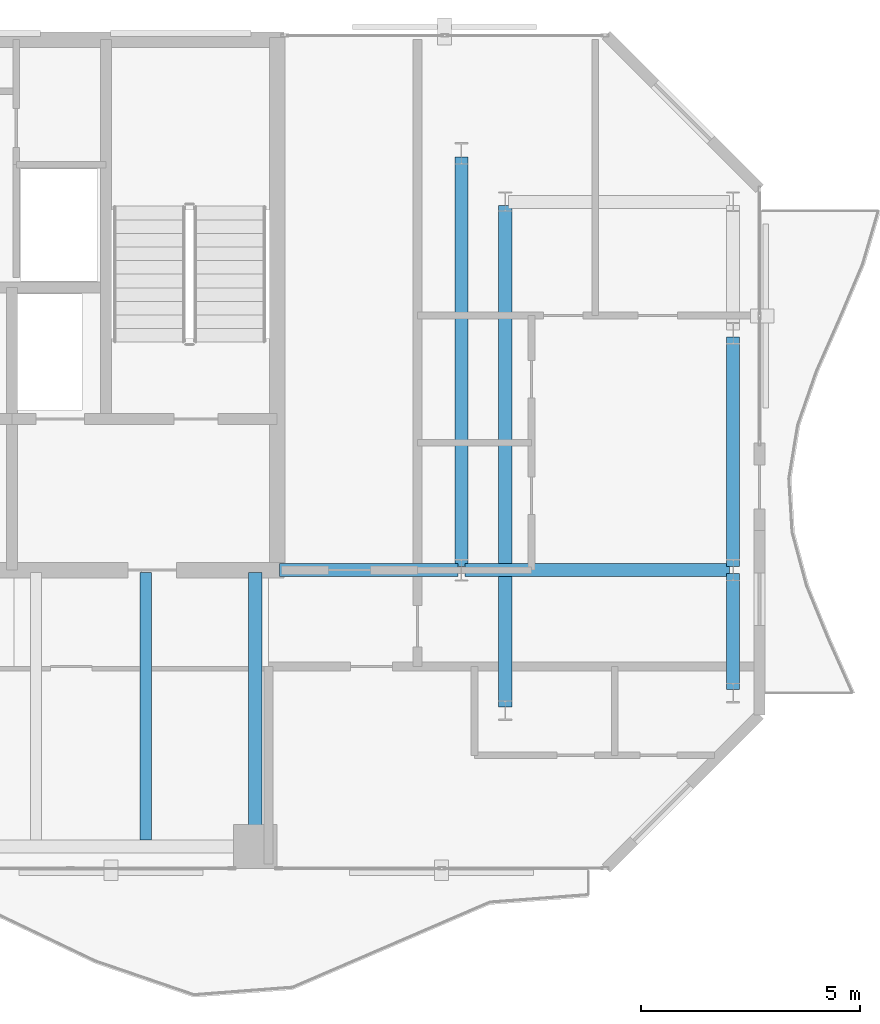
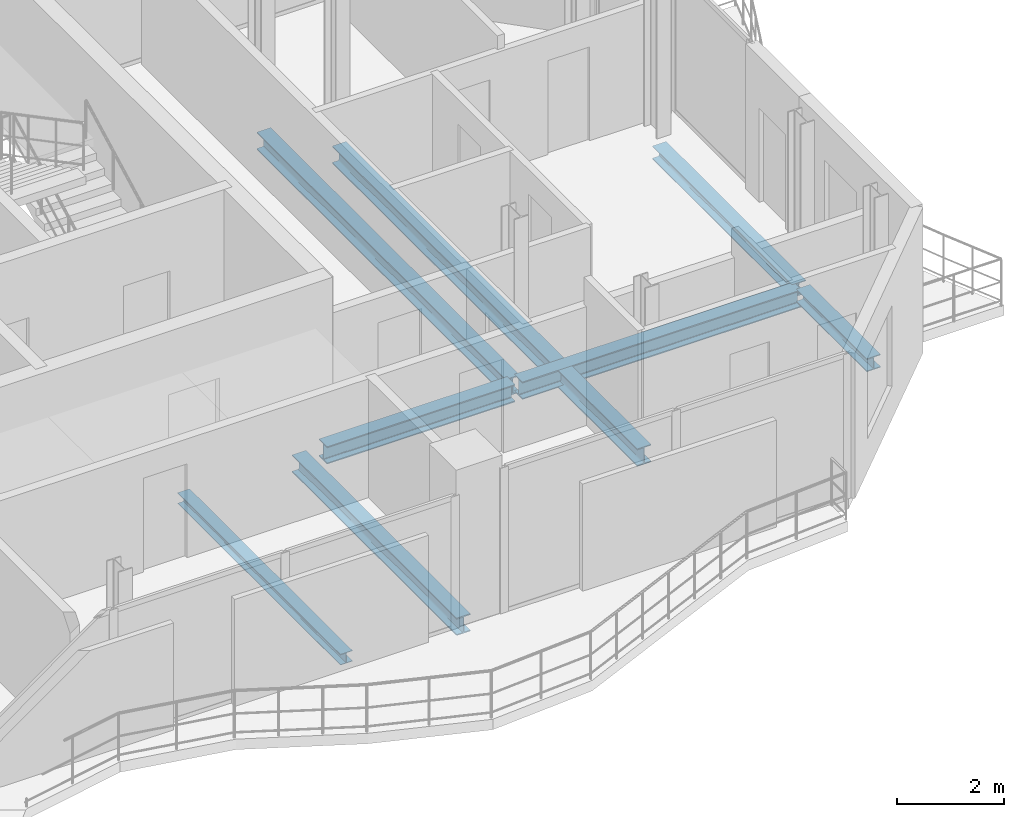
# One storey, part 13 of 23: 8 beams.
"""IFC4 building model written with IfcOpenShell, lengths in metres."""

from ifc_helpers import new_model, si_unit, direction, frame, origin, origin_2d, place, context, subcontext, project, spatial, i_section, extrude, material, material_profile, profile_set, type_object, element, save


model = new_model("IFC4")

# Units and contexts
model_context = context("Model", 3, precision=1e-05, world=origin(), true_north=direction((0.0, 1.0)))
body_context = subcontext(model_context, "Body", "Model", "MODEL_VIEW")
ifc_project = project(units=[si_unit("LENGTHUNIT", "METRE"), si_unit("AREAUNIT", "SQUARE_METRE"), si_unit("VOLUMEUNIT", "CUBIC_METRE"), si_unit("PLANEANGLEUNIT", "RADIAN"), si_unit("MASSUNIT", "GRAM", prefix="KILO")], contexts=[model_context])

# Site, building, storey
site_placement = place(None, origin())
site = spatial("IfcSite", under=ifc_project, at=site_placement, CompositionType="ELEMENT")
building_placement = place(site_placement, origin())
building = spatial("IfcBuilding", under=site, at=building_placement, Name="Catumbela Crestline Tower", CompositionType="ELEMENT")
storey_placement = place(building_placement, frame((0.0, 0.0, 201.0)))
storey = spatial("IfcBuildingStorey", under=building, at=storey_placement, Name="L52", CompositionType="ELEMENT", Elevation=201.0)

# Beams
ifc_material = material(Name="Structural steel S355J2", Category="steel")
ifc_material_profile_1 = material_profile(ifc_material, i_section(OverallWidth=0.3, OverallDepth=0.4, WebThickness=0.0135, FlangeThickness=0.024, FilletRadius=0.027, at=origin_2d()), Name="HEB 400")
ifc_profile_set_1 = profile_set([ifc_material_profile_1], Name="Structural steel S355J2")
beam_type_1 = type_object("IfcBeamType", Name="BG-HEB400", PredefinedType="BEAM", material=ifc_profile_set_1)
beam_1_placement = place(storey_placement, frame((40.05, 30.8, -0.46), z_axis=(1.0, 0.0, 0.0), x_axis=(0.0, 1.0, 0.0)))
element("IfcBeam", 1, at=beam_1_placement, inside=storey, type_object=beam_type_1, Name="L52 Beam BM-L52-M08", PredefinedType="BEAM", context=body_context, shape_type="SweptSolid", body=[
    extrude(i_section(OverallWidth=0.3, OverallDepth=0.4, WebThickness=0.0135, FlangeThickness=0.024, FilletRadius=0.027, at=origin_2d()), origin(), (0.0, 0.0, 1.0), 4.07),
])
beam_2_placement = place(storey_placement, frame((44.28, 30.8, -0.46), z_axis=(1.0, 0.0, 0.0), x_axis=(0.0, 1.0, 0.0)))
element("IfcBeam", 2, at=beam_2_placement, inside=storey, type_object=beam_type_1, Name="L52 Beam BM-L52-M09", PredefinedType="BEAM", context=body_context, shape_type="SweptSolid", body=[
    extrude(i_section(OverallWidth=0.3, OverallDepth=0.4, WebThickness=0.0135, FlangeThickness=0.024, FilletRadius=0.027, at=origin_2d()), origin(), (0.0, 0.0, 1.0), 6.04),
])
beam_3_placement = place(storey_placement, frame((39.5, 24.58, -0.46), z_axis=(0.0, 1.0, 0.0), x_axis=(-1.0, 0.0, 0.0)))
element("IfcBeam", 3, at=beam_3_placement, inside=storey, type_object=beam_type_1, Name="L52 Beam BM-L52-SNS20", PredefinedType="BEAM", context=body_context, shape_type="SweptSolid", body=[
    extrude(i_section(OverallWidth=0.3, OverallDepth=0.4, WebThickness=0.0135, FlangeThickness=0.024, FilletRadius=0.027, at=origin_2d()), origin(), (0.0, 0.0, 1.0), 6.17),
])
beam_4_placement = place(storey_placement, frame((44.2, 30.88, -0.46), z_axis=(0.0, 1.0, 0.0), x_axis=(-1.0, 0.0, 0.0)))
element("IfcBeam", 4, at=beam_4_placement, inside=storey, type_object=beam_type_1, Name="L52 Beam BM-L52-SN21", PredefinedType="BEAM", context=body_context, shape_type="SweptSolid", body=[
    extrude(i_section(OverallWidth=0.3, OverallDepth=0.4, WebThickness=0.0135, FlangeThickness=0.024, FilletRadius=0.027, at=origin_2d()), origin(), (0.0, 0.0, 1.0), 9.34),
])
beam_5_placement = place(storey_placement, frame((45.2, 27.68, -0.46), z_axis=(0.0, 1.0, 0.0), x_axis=(-1.0, 0.0, 0.0)))
element("IfcBeam", 5, at=beam_5_placement, inside=storey, type_object=beam_type_1, Name="L52 Beam BM-L52-SN22", PredefinedType="BEAM", context=body_context, shape_type="SweptSolid", body=[
    extrude(i_section(OverallWidth=0.3, OverallDepth=0.4, WebThickness=0.0135, FlangeThickness=0.024, FilletRadius=0.027, at=origin_2d()), origin(), (0.0, 0.0, 1.0), 11.44),
])
ifc_material_profile_2 = material_profile(ifc_material, i_section(OverallWidth=0.26, OverallDepth=0.25, WebThickness=0.0075, FlangeThickness=0.0125, FilletRadius=0.024, at=origin_2d()), Name="HEA 260")
ifc_profile_set_2 = profile_set([ifc_material_profile_2], Name="Structural steel S355J2")
beam_type_2 = type_object("IfcBeamType", Name="BJ-HEA260", PredefinedType="JOIST", material=ifc_profile_set_2)
beam_6_placement = place(storey_placement, frame((37.0, 24.647, -0.385), z_axis=(0.0, 1.0, 0.0), x_axis=(-1.0, 0.0, 0.0)))
element("IfcBeam", 6, at=beam_6_placement, inside=storey, type_object=beam_type_2, Name="L52 Joist JS-L52-SP31", PredefinedType="JOIST", context=body_context, shape_type="SweptSolid", body=[
    extrude(i_section(OverallWidth=0.26, OverallDepth=0.25, WebThickness=0.0075, FlangeThickness=0.0125, FilletRadius=0.024, at=origin_2d()), origin(), (0.0, 0.0, 1.0), 6.103),
])
ifc_material_profile_3 = material_profile(ifc_material, i_section(OverallWidth=0.3, OverallDepth=0.3, WebThickness=0.011, FlangeThickness=0.019, FilletRadius=0.027, at=origin_2d()), Name="HEB 300")
ifc_profile_set_3 = profile_set([ifc_material_profile_3], Name="Structural steel S355J2")
beam_type_3 = type_object("IfcBeamType", Name="BS-HEB300", PredefinedType="SPANDREL", material=ifc_profile_set_3)
beam_7_placement = place(storey_placement, frame((50.4, 28.08, -0.41), z_axis=(0.0, 1.0, 0.0), x_axis=(-1.0, 0.0, 0.0)))
element("IfcBeam", 7, at=beam_7_placement, inside=storey, type_object=beam_type_3, Name="L52 Spandrel SP-L52-SN23", PredefinedType="SPANDREL", context=body_context, shape_type="SweptSolid", body=[
    extrude(i_section(OverallWidth=0.3, OverallDepth=0.3, WebThickness=0.011, FlangeThickness=0.019, FilletRadius=0.027, at=origin_2d()), origin(), (0.0, 0.0, 1.0), 2.64),
])
beam_8_placement = place(storey_placement, frame((50.4, 30.88, -0.41), z_axis=(0.0, 1.0, 0.0), x_axis=(-1.0, 0.0, 0.0)))
element("IfcBeam", 8, at=beam_8_placement, inside=storey, type_object=beam_type_3, Name="L52 Spandrel SP-L52-SN24", PredefinedType="SPANDREL", context=body_context, shape_type="SweptSolid", body=[
    extrude(i_section(OverallWidth=0.3, OverallDepth=0.3, WebThickness=0.011, FlangeThickness=0.019, FilletRadius=0.027, at=origin_2d()), origin(), (0.0, 0.0, 1.0), 5.24),
])

save(model, "model.ifc")
